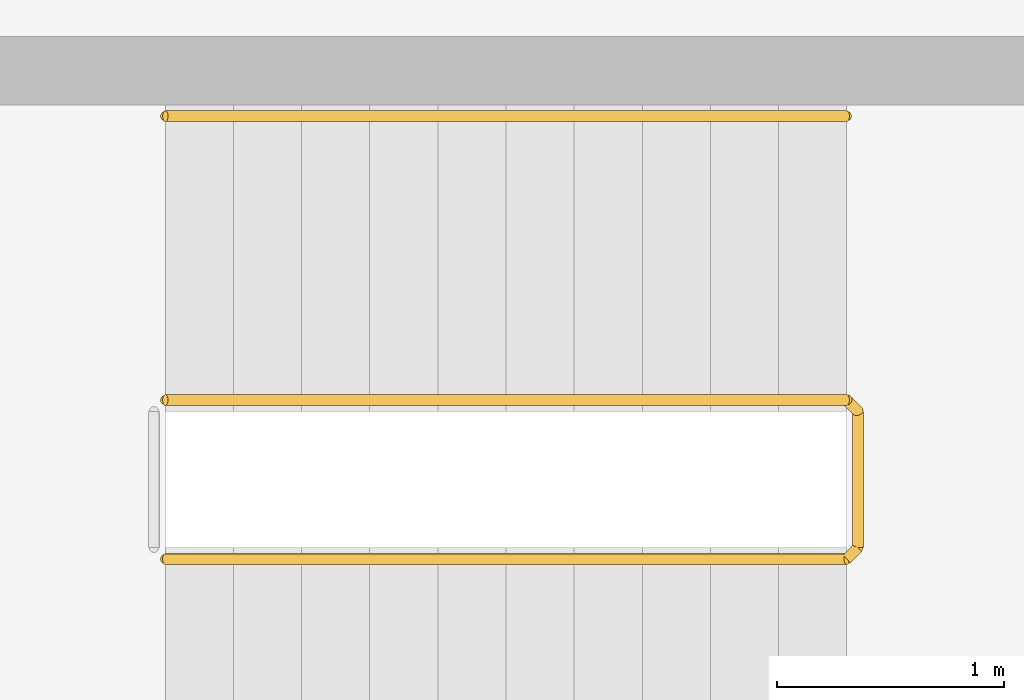
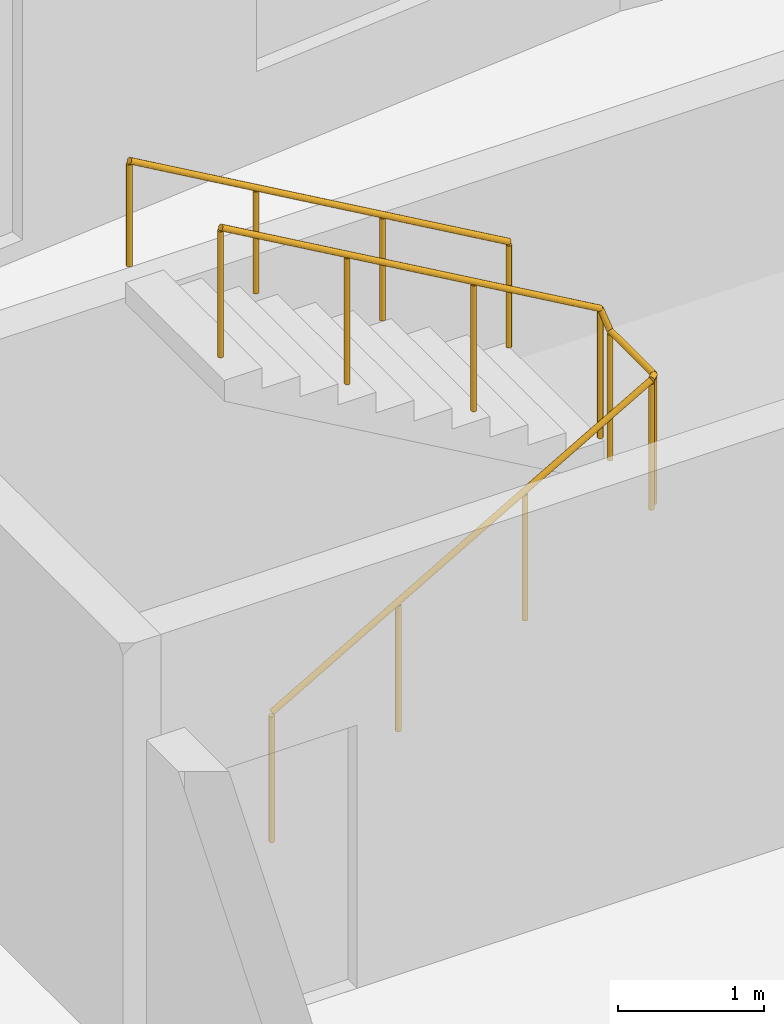
# One storey, part 10 of 10: 2 railings.
"""IFC4 building model written with IfcOpenShell, lengths in metres."""

from ifc_helpers import new_model, si_unit, direction, frame, origin, origin_2d, place, context, subcontext, project, spatial, circle, extrude, material, type_object, element, save


model = new_model("IFC4")

# Units and contexts
model_context = context("Model", 3, precision=1e-05, world=origin(), true_north=direction((0.0, 1.0)))
body_context = subcontext(model_context, "Body", "Model", "MODEL_VIEW")
ifc_project = project(units=[si_unit("LENGTHUNIT", "METRE"), si_unit("AREAUNIT", "SQUARE_METRE"), si_unit("VOLUMEUNIT", "CUBIC_METRE"), si_unit("PLANEANGLEUNIT", "RADIAN"), si_unit("MASSUNIT", "GRAM", prefix="KILO")], contexts=[model_context])

# Site, building, storey
site_placement = place(None, origin())
site = spatial("IfcSite", under=ifc_project, at=site_placement, CompositionType="ELEMENT")
building_placement = place(site_placement, origin())
building = spatial("IfcBuilding", under=site, at=building_placement, Name="Brondeck Convention Tower", CompositionType="ELEMENT")
storey_placement = place(building_placement, frame((0.0, 0.0, 173.800048828125)))
storey = spatial("IfcBuildingStorey", under=building, at=storey_placement, Name="L42", CompositionType="ELEMENT", Elevation=173.800048828125)

# Railings
ifc_material = material(Name="Steel S355", Category="steel")
railing_type_1 = type_object("IfcRailingType", Name="Stair guard 1100", PredefinedType="GUARDRAIL", material=ifc_material)
railing_1_placement = place(storey_placement, frame((37.85009765625, 55.449951171875, 0.172607421875)))
element("IfcRailing", 1, at=railing_1_placement, inside=storey, type_object=railing_type_1, Name="L42 ST-AE stair guard 1", PredefinedType="GUARDRAIL", context=body_context, shape_type="SweptSolid", body=[
    extrude(circle(Radius=0.02392578125, at=origin_2d()), frame((0.0, 0.0, 1.076171875), z_axis=(0.866619684472, 0.0, 0.498969260062), x_axis=(0.0, 1.0, 0.0)), (0.0, 0.0, 1.0), 3.461669921875),
    extrude(circle(Radius=0.02392578125, at=origin_2d()), frame((3.0, 0.0, 2.80322265625), z_axis=(0.705375805398, 0.708833529934, 0.0), x_axis=(-0.708833529934, 0.705375805398, 0.0)), (0.0, 0.0, 1.0), 0.070556640625),
    extrude(circle(Radius=0.02392578125, at=origin_2d()), frame((3.0498046875, 0.050048828125, 2.80322265625), z_axis=(0.0, 1.0, 0.0), x_axis=(-1.0, 0.0, 0.0)), (0.0, 0.0, 1.0), 0.60009765625),
    extrude(circle(Radius=0.02392578125, at=origin_2d()), frame((3.0498046875, 0.650146484375, 2.80322265625), z_axis=(-0.266832911964, 0.266832911964, 0.926067165051), x_axis=(-0.707106781187, -0.707106781187, 0.0)), (0.0, 0.0, 1.0), 0.186767578125),
    extrude(circle(Radius=0.02392578125, at=origin_2d()), frame((3.0, 0.699951171875, 2.97607421875), z_axis=(-0.866619684472, 0.0, 0.498969260062), x_axis=(0.0, -1.0, 0.0)), (0.0, 0.0, 1.0), 3.461669921875),
    extrude(circle(Radius=0.02099609375, at=origin_2d()), origin(), (0.0, 0.0, 1.0), 1.052001953125),
    extrude(circle(Radius=0.02099609375, at=origin_2d()), frame((1.0, 0.0, 0.57568359375)), (0.0, 0.0, 1.0), 1.052001953125),
    extrude(circle(Radius=0.02099609375, at=origin_2d()), frame((2.0, 0.0, 1.151611328125)), (0.0, 0.0, 1.0), 1.052001953125),
    extrude(circle(Radius=0.02099609375, at=origin_2d()), frame((3.0, 0.0, 1.727294921875)), (0.0, 0.0, 1.0), 1.052001953125),
    extrude(circle(Radius=0.02099609375, at=origin_2d()), frame((3.0498046875, 0.050048828125, 1.727294921875)), (0.0, 0.0, 1.0), 1.052001953125),
    extrude(circle(Radius=0.02099609375, at=origin_2d()), frame((3.0498046875, 0.650146484375, 1.727294921875)), (0.0, 0.0, 1.0), 1.052001953125),
    extrude(circle(Radius=0.02099609375, at=origin_2d()), frame((3.0, 0.699951171875, 1.900146484375)), (0.0, 0.0, 1.0), 1.052001953125),
    extrude(circle(Radius=0.02099609375, at=origin_2d()), frame((2.0, 0.699951171875, 2.475830078125)), (0.0, 0.0, 1.0), 1.052001953125),
    extrude(circle(Radius=0.02099609375, at=origin_2d()), frame((1.0, 0.699951171875, 3.0517578125)), (0.0, 0.0, 1.0), 1.052001953125),
    extrude(circle(Radius=0.02099609375, at=origin_2d()), frame((0.0, 0.699951171875, 3.62744140625)), (0.0, 0.0, 1.0), 1.052001953125),
])
railing_type_2 = type_object("IfcRailingType", Name="Stair handrail", PredefinedType="HANDRAIL", material=ifc_material)
railing_2_placement = place(storey_placement, frame((40.85009765625, 57.39990234375, 2.07275390625)))
element("IfcRailing", 2, at=railing_2_placement, inside=storey, type_object=railing_type_2, Name="L42 ST-AE stair handrail 2", PredefinedType="HANDRAIL", context=body_context, shape_type="SweptSolid", body=[
    extrude(circle(Radius=0.02392578125, at=origin_2d()), frame((0.0, 0.0, 0.8759765625), z_axis=(-0.866619684472, 0.0, 0.498969260062), x_axis=(0.0, -1.0, 0.0)), (0.0, 0.0, 1.0), 3.461669921875),
    extrude(circle(Radius=0.02099609375, at=origin_2d()), origin(), (0.0, 0.0, 1.0), 0.851806640625),
    extrude(circle(Radius=0.02099609375, at=origin_2d()), frame((-1.0, 0.0, 0.57568359375)), (0.0, 0.0, 1.0), 0.851806640625),
    extrude(circle(Radius=0.02099609375, at=origin_2d()), frame((-2.0, 0.0, 1.151611328125)), (0.0, 0.0, 1.0), 0.851806640625),
    extrude(circle(Radius=0.02099609375, at=origin_2d()), frame((-3.0, 0.0, 1.727294921875)), (0.0, 0.0, 1.0), 0.851806640625),
])

save(model, "model.ifc")
